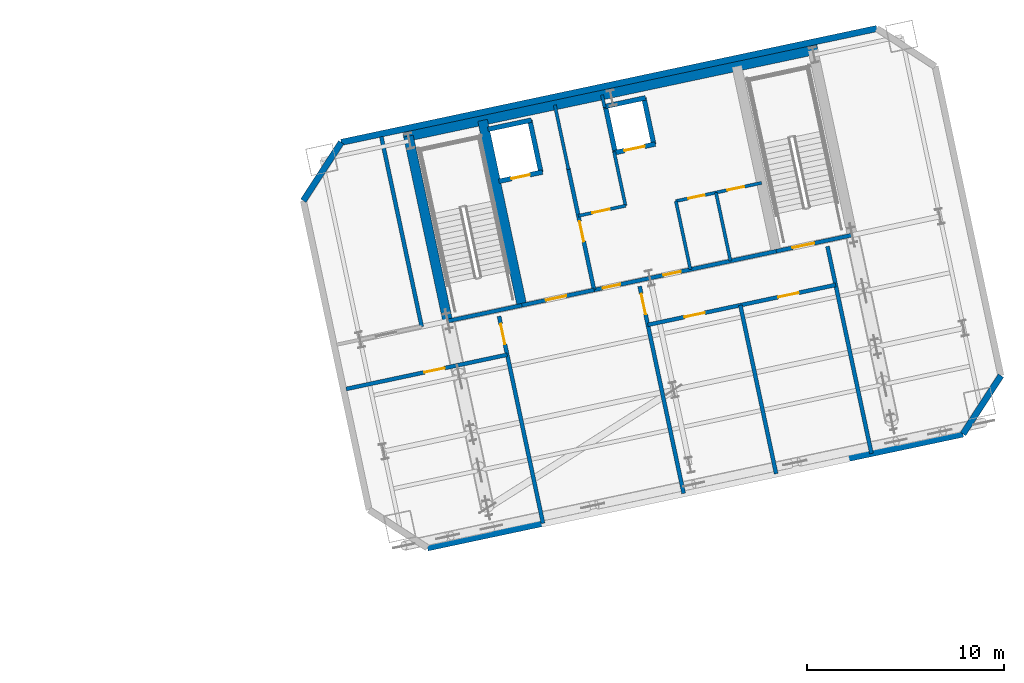
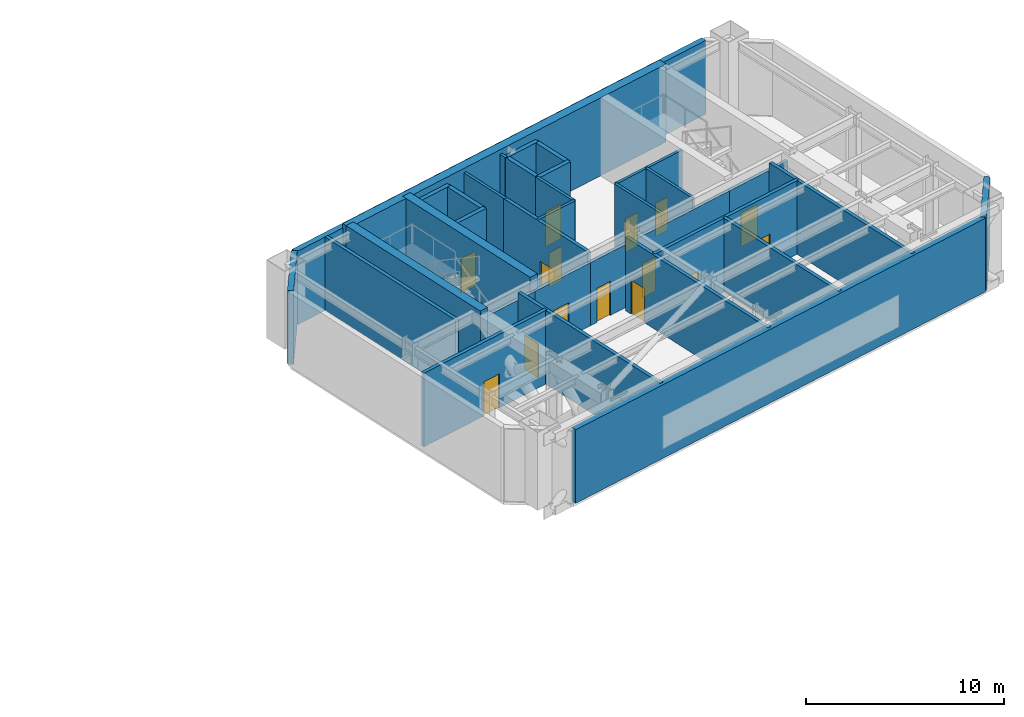
# One storey, part 10 of 15: 33 walls, 15 doors, 15 openings.
"""IFC4 building model written with IfcOpenShell, lengths in metres."""

from ifc_helpers import new_model, si_unit, direction, frame, frame_2d, origin, place, context, subcontext, project, spatial, rectangle, extrude, material, layer, layer_set, type_object, element, fill, save


model = new_model("IFC4")

# Units and contexts
model_context = context("Model", 3, precision=1e-05, world=origin(), true_north=direction((0.0, 1.0)))
body_context = subcontext(model_context, "Body", "Model", "MODEL_VIEW")
ifc_project = project(units=[si_unit("LENGTHUNIT", "METRE"), si_unit("AREAUNIT", "SQUARE_METRE"), si_unit("VOLUMEUNIT", "CUBIC_METRE"), si_unit("PLANEANGLEUNIT", "RADIAN"), si_unit("MASSUNIT", "GRAM", prefix="KILO")], contexts=[model_context])

# Site, building, storey
site_placement = place(None, origin())
site = spatial("IfcSite", under=ifc_project, at=site_placement, CompositionType="ELEMENT")
building_placement = place(site_placement, origin())
building = spatial("IfcBuilding", under=site, at=building_placement, Name="Haevon Station Towers", CompositionType="ELEMENT")
storey_placement = place(building_placement, frame((0.0, 0.0, 138.0)))
storey = spatial("IfcBuildingStorey", under=building, at=storey_placement, Name="L37", CompositionType="ELEMENT", Elevation=138.0)

# Wall
ifc_material_1 = material(Name="Gypsum board on steel stud", Category="steel")
ifc_layer_1 = layer(ifc_material_1, 0.199951171875)
ifc_layer_set_1 = layer_set([ifc_layer_1], Name="Gypsum board on steel stud")
wall_type_1 = type_object("IfcWallType", Name="WL-COR200", PredefinedType="PARTITIONING", material=ifc_layer_set_1)
wall_1_placement = place(storey_placement, frame((98.75244140625, 37.4423828125, 0.0), z_axis=(0.0, 0.0, 1.0), x_axis=(0.978143537786, 0.207930804564, 0.0)))
element("IfcWall", 1, at=wall_1_placement, inside=storey, type_object=wall_type_1, Name="WL-ST-ST3-L37", PredefinedType="PARTITIONING", context=body_context, shape_type="SweptSolid", body=[
    extrude(rectangle(XDim=3.85009765625, YDim=0.199951171875, at=frame_2d((1.925048828125, 0.0))), origin(), (0.0, 0.0, 1.0), 3.8798828125),
])

# Wall, opening, door
wall_2_placement = place(storey_placement, frame((115.4296875, 40.9873046875, 0.0), z_axis=(0.0, 0.0, 1.0), x_axis=(0.978146596989, 0.207916413008, 0.0)))
wall_2 = element("IfcWall", 2, at=wall_2_placement, inside=storey, type_object=wall_type_1, Name="WL-ST-ST4-L37", PredefinedType="PARTITIONING", context=body_context, shape_type="SweptSolid", body=[
    extrude(rectangle(XDim=3.9501953125, YDim=0.199951171875, at=frame_2d((1.97509765625, 0.0))), origin(), (0.0, 0.0, 1.0), 3.8798828125),
])
opening_1_placement = place(wall_2_placement, frame((0.85009765625, 0.0, 0.0)))
opening_1 = element("IfcOpeningElement", 3, at=opening_1_placement, cuts=wall_2, Name="Opening DR-ST-ST4-L37", PredefinedType="OPENING", context=body_context, shape_type="SweptSolid", body=[
    extrude(rectangle(XDim=1.1201171875, YDim=2.10009765625, at=frame_2d((0.56005859375, 1.050048828125))), frame((0.0, 0.10986328125, 0.0), z_axis=(0.0, -1.0, 0.0), x_axis=(1.0, 0.0, 0.0)), (0.0, 0.0, 1.0), 0.219970703125),
])
ifc_material_2 = material(Name="Engineered oak timber", Category="wood")
door_type_1 = type_object("IfcDoorType", Name="DR-ST-1120", OperationType="NOTDEFINED", PredefinedType="DOOR", material=ifc_material_2)
door_1_placement = place(opening_1_placement, origin())
door_1 = element("IfcDoor", 4, at=door_1_placement, inside=storey, type_object=door_type_1, Name="L37 Escape Stair ST4 Fire Door", OperationType="SINGLE_SWING_LEFT", OverallHeight=2.10009765625, OverallWidth=1.1201171875, PredefinedType="DOOR", context=body_context, shape_type="SweptSolid", body=[
    extrude(rectangle(XDim=1.1201171875, YDim=2.10009765625, at=frame_2d((0.56005859375, 1.050048828125))), frame((0.0, 0.02490234375, 0.0), z_axis=(0.0, -1.0, 0.0), x_axis=(1.0, 0.0, 0.0)), (0.0, 0.0, 1.0), 0.050048828125),
])
fill(opening_1, door_1)

wall_3_placement = place(storey_placement, frame((106.186279296875, 39.0224609375, 0.0), z_axis=(0.0, 0.0, 1.0), x_axis=(-0.207916691923, 0.978146537703, 0.0)))
wall_3 = element("IfcWall", 5, at=wall_3_placement, inside=storey, type_object=wall_type_1, Name="WL-T2FFL-L37-E", PredefinedType="PARTITIONING", context=body_context, shape_type="SweptSolid", body=[
    extrude(rectangle(XDim=6.35009765625, YDim=0.199951171875, at=frame_2d((3.175048828125, 0.0))), origin(), (0.0, 0.0, 1.0), 4.530029296875),
])
opening_2_placement = place(wall_3_placement, frame((2.52001953125, 0.0, 0.0)))
opening_2 = element("IfcOpeningElement", 6, at=opening_2_placement, cuts=wall_3, Name="Opening DR-T2FFL-L37-E", PredefinedType="OPENING", context=body_context, shape_type="SweptSolid", body=[
    extrude(rectangle(XDim=1.050048828125, YDim=2.10009765625, at=frame_2d((0.52490234375, 1.050048828125))), frame((0.0, 0.10986328125, 0.0), z_axis=(0.0, -1.0, 0.0), x_axis=(1.0, 0.0, 0.0)), (0.0, 0.0, 1.0), 0.219970703125),
])
door_type_2 = type_object("IfcDoorType", Name="DR-FD60-1050", OperationType="NOTDEFINED", PredefinedType="DOOR", material=ifc_material_2)
door_2_placement = place(opening_2_placement, origin())
door_2 = element("IfcDoor", 7, at=door_2_placement, inside=storey, type_object=door_type_2, Name="L37 Tower 2 Firefighting Lift Lobby Door E", OperationType="SINGLE_SWING_RIGHT", OverallHeight=2.10009765625, OverallWidth=1.050048828125, PredefinedType="DOOR", context=body_context, shape_type="SweptSolid", body=[
    extrude(rectangle(XDim=1.050048828125, YDim=2.10009765625, at=frame_2d((0.52490234375, 1.050048828125))), frame((0.0, 0.02490234375, 0.0), z_axis=(0.0, -1.0, 0.0), x_axis=(1.0, 0.0, 0.0)), (0.0, 0.0, 1.0), 0.050048828125),
])
fill(opening_2, door_2)

wall_4_placement = place(storey_placement, frame((102.518310546875, 38.242919921875, 0.0), z_axis=(0.0, 0.0, 1.0), x_axis=(0.978153555683, 0.20788367301, 0.0)))
wall_4 = element("IfcWall", 8, at=wall_4_placement, inside=storey, type_object=wall_type_1, Name="WL-T2FFL-L37-S", PredefinedType="PARTITIONING", context=body_context, shape_type="SweptSolid", body=[
    extrude(rectangle(XDim=3.75, YDim=0.199951171875, at=frame_2d((1.875, 0.0))), origin(), (0.0, 0.0, 1.0), 3.8798828125),
])
opening_3_placement = place(wall_4_placement, frame((1.25, 0.0, 0.0)))
opening_3 = element("IfcOpeningElement", 9, at=opening_3_placement, cuts=wall_4, Name="Opening DR-T2FFL-L37-S", PredefinedType="OPENING", context=body_context, shape_type="SweptSolid", body=[
    extrude(rectangle(XDim=1.050048828125, YDim=2.10009765625, at=frame_2d((0.52490234375, 1.050048828125))), frame((0.0, 0.10986328125, 0.0), z_axis=(0.0, -1.0, 0.0), x_axis=(1.0, 0.0, 0.0)), (0.0, 0.0, 1.0), 0.219970703125),
])
door_3_placement = place(opening_3_placement, origin())
door_3 = element("IfcDoor", 10, at=door_3_placement, inside=storey, type_object=door_type_2, Name="L37 Tower 2 Firefighting Lift Lobby Door S", OperationType="SINGLE_SWING_LEFT", OverallHeight=2.10009765625, OverallWidth=1.050048828125, PredefinedType="DOOR", context=body_context, shape_type="SweptSolid", body=[
    extrude(rectangle(XDim=1.050048828125, YDim=2.10009765625, at=frame_2d((0.52490234375, 1.050048828125))), frame((0.0, 0.02490234375, 0.0), z_axis=(0.0, -1.0, 0.0), x_axis=(1.0, 0.0, 0.0)), (0.0, 0.0, 1.0), 0.050048828125),
])
fill(opening_3, door_3)

# Wall, openings, doors
wall_5_placement = place(storey_placement, frame((106.186279296875, 39.0224609375, 0.0), z_axis=(0.0, 0.0, 1.0), x_axis=(0.978145519981, 0.20792147975, 0.0)))
wall_5 = element("IfcWall", 11, at=wall_5_placement, inside=storey, type_object=wall_type_1, Name="WL-T2CLB-L37", PredefinedType="PARTITIONING", context=body_context, shape_type="SweptSolid", body=[
    extrude(rectangle(XDim=9.449951171875, YDim=0.199951171875, at=frame_2d((4.72509765625, 0.0))), origin(), (0.0, 0.0, 1.0), 3.8798828125),
])
opening_4_placement = place(wall_5_placement, frame((0.449951171875, 0.0, 0.0)))
opening_4 = element("IfcOpeningElement", 12, at=opening_4_placement, cuts=wall_5, Name="Opening DR-T2CLB-L37-1", PredefinedType="OPENING", context=body_context, shape_type="SweptSolid", body=[
    extrude(rectangle(XDim=0.89990234375, YDim=2.10009765625, at=frame_2d((0.449951171875, 1.050048828125))), frame((0.0, 0.10986328125, 0.0), z_axis=(0.0, -1.0, 0.0), x_axis=(1.0, 0.0, 0.0)), (0.0, 0.0, 1.0), 0.219970703125),
])
opening_5_placement = place(wall_5_placement, frame((3.60009765625, 0.0, 0.0)))
opening_5 = element("IfcOpeningElement", 13, at=opening_5_placement, cuts=wall_5, Name="Opening DR-T2CLB-L37-2", PredefinedType="OPENING", context=body_context, shape_type="SweptSolid", body=[
    extrude(rectangle(XDim=0.89990234375, YDim=2.10009765625, at=frame_2d((0.449951171875, 1.050048828125))), frame((0.0, 0.10986328125, 0.0), z_axis=(0.0, -1.0, 0.0), x_axis=(1.0, 0.0, 0.0)), (0.0, 0.0, 1.0), 0.219970703125),
])
door_type_3 = type_object("IfcDoorType", Name="DR-FD60-900", OperationType="NOTDEFINED", PredefinedType="DOOR", material=ifc_material_2)
door_4_placement = place(opening_4_placement, origin())
door_4 = element("IfcDoor", 14, at=door_4_placement, inside=storey, type_object=door_type_3, Name="L37 Tower 2 Core Lift Lobby Door 1", OperationType="SINGLE_SWING_RIGHT", OverallHeight=2.10009765625, OverallWidth=0.89990234375, PredefinedType="DOOR", context=body_context, shape_type="SweptSolid", body=[
    extrude(rectangle(XDim=0.89990234375, YDim=2.10009765625, at=frame_2d((0.449951171875, 1.050048828125))), frame((0.0, 0.02490234375, 0.0), z_axis=(0.0, -1.0, 0.0), x_axis=(1.0, 0.0, 0.0)), (0.0, 0.0, 1.0), 0.050048828125),
])
fill(opening_4, door_4)
door_5_placement = place(opening_5_placement, origin())
door_5 = element("IfcDoor", 15, at=door_5_placement, inside=storey, type_object=door_type_3, Name="L37 Tower 2 Core Lift Lobby Door 2", OperationType="SINGLE_SWING_LEFT", OverallHeight=2.10009765625, OverallWidth=0.89990234375, PredefinedType="DOOR", context=body_context, shape_type="SweptSolid", body=[
    extrude(rectangle(XDim=0.89990234375, YDim=2.10009765625, at=frame_2d((0.449951171875, 1.050048828125))), frame((0.0, 0.02490234375, 0.0), z_axis=(0.0, -1.0, 0.0), x_axis=(1.0, 0.0, 0.0)), (0.0, 0.0, 1.0), 0.050048828125),
])
fill(opening_5, door_5)

# Wall
wall_6_placement = place(storey_placement, frame((97.431884765625, 37.16162109375, 0.0), z_axis=(0.0, 0.0, 1.0), x_axis=(-0.207915613651, 0.978146766902, 0.0)))
element("IfcWall", 16, at=wall_6_placement, inside=storey, type_object=wall_type_1, Name="WL-T2PT-L37-02", PredefinedType="PARTITIONING", context=body_context, shape_type="SweptSolid", body=[
    extrude(rectangle(XDim=9.860107421875, YDim=0.199951171875, at=frame_2d((4.93017578125, 0.0))), origin(), (0.0, 0.0, 1.0), 4.530029296875),
])

# Wall, opening, door
wall_7_placement = place(storey_placement, frame((93.596435546875, 33.9951171875, 0.0), z_axis=(0.0, 0.0, 1.0), x_axis=(0.978149795043, 0.207901367138, 0.0)))
wall_7 = element("IfcWall", 17, at=wall_7_placement, inside=storey, type_object=wall_type_1, Name="WL-T2PT-L37-03", PredefinedType="PARTITIONING", context=body_context, shape_type="SweptSolid", body=[
    extrude(rectangle(XDim=8.35986328125, YDim=0.199951171875, at=frame_2d((4.179931640625, 0.0))), origin(), (0.0, 0.0, 1.0), 4.530029296875),
])
opening_6_placement = place(wall_7_placement, frame((4.06005859375, 0.0, 0.0)))
opening_6 = element("IfcOpeningElement", 18, at=opening_6_placement, cuts=wall_7, Name="Opening DR-WL-T2PT-L37-03-01", PredefinedType="OPENING", context=body_context, shape_type="SweptSolid", body=[
    extrude(rectangle(XDim=1.050048828125, YDim=2.10009765625, at=frame_2d((0.52490234375, 1.050048828125))), frame((0.0, 0.10986328125, 0.0), z_axis=(0.0, -1.0, 0.0), x_axis=(1.0, 0.0, 0.0)), (0.0, 0.0, 1.0), 0.219970703125),
])
door_6_placement = place(opening_6_placement, origin())
door_6 = element("IfcDoor", 19, at=door_6_placement, inside=storey, type_object=door_type_2, Name="L37 Tower 2 Room Door 3-1", OperationType="SINGLE_SWING_RIGHT", OverallHeight=2.10009765625, OverallWidth=1.050048828125, PredefinedType="DOOR", context=body_context, shape_type="SweptSolid", body=[
    extrude(rectangle(XDim=1.050048828125, YDim=2.10009765625, at=frame_2d((0.52490234375, 1.050048828125))), frame((0.0, 0.02490234375, 0.0), z_axis=(0.0, -1.0, 0.0), x_axis=(1.0, 0.0, 0.0)), (0.0, 0.0, 1.0), 0.050048828125),
])
fill(opening_6, door_6)

wall_8_placement = place(storey_placement, frame((103.593017578125, 27.174560546875, 0.0), z_axis=(0.0, 0.0, 1.0), x_axis=(-0.207920413975, 0.978145746529, 0.0)))
wall_8 = element("IfcWall", 20, at=wall_8_placement, inside=storey, type_object=wall_type_1, Name="WL-T2PT-L37-04", PredefinedType="PARTITIONING", context=body_context, shape_type="SweptSolid", body=[
    extrude(rectangle(XDim=10.749755859375, YDim=0.199951171875, at=frame_2d((5.375, 0.0))), origin(), (0.0, 0.0, 1.0), 4.530029296875),
])
opening_7_placement = place(wall_8_placement, frame((9.300048828125, 0.0, 0.0)))
opening_7 = element("IfcOpeningElement", 21, at=opening_7_placement, cuts=wall_8, Name="Opening DR-WL-T2PT-L37-04-01", PredefinedType="OPENING", context=body_context, shape_type="SweptSolid", body=[
    extrude(rectangle(XDim=1.050048828125, YDim=2.10009765625, at=frame_2d((0.52490234375, 1.050048828125))), frame((0.0, 0.10986328125, 0.0), z_axis=(0.0, -1.0, 0.0), x_axis=(1.0, 0.0, 0.0)), (0.0, 0.0, 1.0), 0.219970703125),
])
door_7_placement = place(opening_7_placement, origin())
door_7 = element("IfcDoor", 22, at=door_7_placement, inside=storey, type_object=door_type_2, Name="L37 Tower 2 Room Door 4-1", OperationType="SINGLE_SWING_LEFT", OverallHeight=2.10009765625, OverallWidth=1.050048828125, PredefinedType="DOOR", context=body_context, shape_type="SweptSolid", body=[
    extrude(rectangle(XDim=1.050048828125, YDim=2.10009765625, at=frame_2d((0.52490234375, 1.050048828125))), frame((0.0, 0.02490234375, 0.0), z_axis=(0.0, -1.0, 0.0), x_axis=(1.0, 0.0, 0.0)), (0.0, 0.0, 1.0), 0.050048828125),
])
fill(opening_7, door_7)

wall_9_placement = place(storey_placement, frame((110.7333984375, 28.692138671875, 0.0), z_axis=(0.0, 0.0, 1.0), x_axis=(-0.207915795165, 0.978146728319, 0.0)))
wall_9 = element("IfcWall", 23, at=wall_9_placement, inside=storey, type_object=wall_type_1, Name="WL-T2PT-L37-05", PredefinedType="PARTITIONING", context=body_context, shape_type="SweptSolid", body=[
    extrude(rectangle(XDim=10.75, YDim=0.199951171875, at=frame_2d((5.375, 0.0))), origin(), (0.0, 0.0, 1.0), 4.530029296875),
])
opening_8_placement = place(wall_9_placement, frame((9.300048828125, 0.0, 0.0)))
opening_8 = element("IfcOpeningElement", 24, at=opening_8_placement, cuts=wall_9, Name="Opening DR-WL-T2PT-L37-05-01", PredefinedType="OPENING", context=body_context, shape_type="SweptSolid", body=[
    extrude(rectangle(XDim=1.050048828125, YDim=2.10009765625, at=frame_2d((0.52490234375, 1.050048828125))), frame((0.0, 0.10986328125, 0.0), z_axis=(0.0, -1.0, 0.0), x_axis=(1.0, 0.0, 0.0)), (0.0, 0.0, 1.0), 0.219970703125),
])
door_8_placement = place(opening_8_placement, origin())
door_8 = element("IfcDoor", 25, at=door_8_placement, inside=storey, type_object=door_type_2, Name="L37 Tower 2 Room Door 5-1", OperationType="SINGLE_SWING_RIGHT", OverallHeight=2.10009765625, OverallWidth=1.050048828125, PredefinedType="DOOR", context=body_context, shape_type="SweptSolid", body=[
    extrude(rectangle(XDim=1.050048828125, YDim=2.10009765625, at=frame_2d((0.52490234375, 1.050048828125))), frame((0.0, 0.02490234375, 0.0), z_axis=(0.0, -1.0, 0.0), x_axis=(1.0, 0.0, 0.0)), (0.0, 0.0, 1.0), 0.050048828125),
])
fill(opening_8, door_8)

# Wall
wall_10_placement = place(storey_placement, frame((115.428466796875, 29.690185546875, 0.0), z_axis=(0.0, 0.0, 1.0), x_axis=(-0.207895796689, 0.978150979, 0.0)))
element("IfcWall", 26, at=wall_10_placement, inside=storey, type_object=wall_type_1, Name="WL-T2PT-L37-06", PredefinedType="PARTITIONING", context=body_context, shape_type="SweptSolid", body=[
    extrude(rectangle(XDim=8.75, YDim=0.199951171875, at=frame_2d((4.375, 0.0))), origin(), (0.0, 0.0, 1.0), 4.530029296875),
])

# Wall, openings, doors
wall_11_placement = place(storey_placement, frame((108.914306640625, 37.2509765625, 0.0), z_axis=(0.0, 0.0, 1.0), x_axis=(0.978148094533, 0.20790936766, 0.0)))
wall_11 = element("IfcWall", 27, at=wall_11_placement, inside=storey, type_object=wall_type_1, Name="WL-T2PT-L37-07", PredefinedType="PARTITIONING", context=body_context, shape_type="SweptSolid", body=[
    extrude(rectangle(XDim=9.75, YDim=0.199951171875, at=frame_2d((4.875, 0.0))), origin(), (0.0, 0.0, 1.0), 4.530029296875),
])
opening_9_placement = place(wall_11_placement, frame((1.89990234375, 0.0, 0.0)))
opening_9 = element("IfcOpeningElement", 28, at=opening_9_placement, cuts=wall_11, Name="Opening DR-WL-T2PT-L37-07-01", PredefinedType="OPENING", context=body_context, shape_type="SweptSolid", body=[
    extrude(rectangle(XDim=1.050048828125, YDim=2.10009765625, at=frame_2d((0.52490234375, 1.050048828125))), frame((0.0, 0.10986328125, 0.0), z_axis=(0.0, -1.0, 0.0), x_axis=(1.0, 0.0, 0.0)), (0.0, 0.0, 1.0), 0.219970703125),
])
opening_10_placement = place(wall_11_placement, frame((6.77490234375, 0.0, 0.0)))
opening_10 = element("IfcOpeningElement", 29, at=opening_10_placement, cuts=wall_11, Name="Opening DR-WL-T2PT-L37-07-02", PredefinedType="OPENING", context=body_context, shape_type="SweptSolid", body=[
    extrude(rectangle(XDim=1.050048828125, YDim=2.10009765625, at=frame_2d((0.52490234375, 1.050048828125))), frame((0.0, 0.10986328125, 0.0), z_axis=(0.0, -1.0, 0.0), x_axis=(1.0, 0.0, 0.0)), (0.0, 0.0, 1.0), 0.219970703125),
])
door_9_placement = place(opening_9_placement, origin())
door_9 = element("IfcDoor", 30, at=door_9_placement, inside=storey, type_object=door_type_2, Name="L37 Tower 2 Room Door 7-1", OperationType="SINGLE_SWING_LEFT", OverallHeight=2.10009765625, OverallWidth=1.050048828125, PredefinedType="DOOR", context=body_context, shape_type="SweptSolid", body=[
    extrude(rectangle(XDim=1.050048828125, YDim=2.10009765625, at=frame_2d((0.52490234375, 1.050048828125))), frame((0.0, 0.02490234375, 0.0), z_axis=(0.0, -1.0, 0.0), x_axis=(1.0, 0.0, 0.0)), (0.0, 0.0, 1.0), 0.050048828125),
])
fill(opening_9, door_9)
door_10_placement = place(opening_10_placement, origin())
door_10 = element("IfcDoor", 31, at=door_10_placement, inside=storey, type_object=door_type_2, Name="L37 Tower 2 Room Door 7-2", OperationType="SINGLE_SWING_RIGHT", OverallHeight=2.10009765625, OverallWidth=1.050048828125, PredefinedType="DOOR", context=body_context, shape_type="SweptSolid", body=[
    extrude(rectangle(XDim=1.050048828125, YDim=2.10009765625, at=frame_2d((0.52490234375, 1.050048828125))), frame((0.0, 0.02490234375, 0.0), z_axis=(0.0, -1.0, 0.0), x_axis=(1.0, 0.0, 0.0)), (0.0, 0.0, 1.0), 0.050048828125),
])
fill(opening_10, door_10)

# Walls
wall_12_placement = place(storey_placement, frame((120.270263671875, 30.71923828125, 0.0), z_axis=(0.0, 0.0, 1.0), x_axis=(-0.207894066141, 0.978151346809, 0.0)))
element("IfcWall", 32, at=wall_12_placement, inside=storey, type_object=wall_type_1, Name="WL-T2PT-L37-08", PredefinedType="PARTITIONING", context=body_context, shape_type="SweptSolid", body=[
    extrude(rectangle(XDim=10.75, YDim=0.199951171875, at=frame_2d((5.375, 0.0))), origin(), (0.0, 0.0, 1.0), 4.530029296875),
])
ifc_material_3 = material(Name="Concrete C60/75", Category="concrete")
ifc_layer_2 = layer(ifc_material_3, 0.5)
ifc_layer_set_2 = layer_set([ifc_layer_2], Name="Concrete C60/75")
wall_type_2 = type_object("IfcWallType", Name="WL-CR500", PredefinedType="SHEAR", material=ifc_layer_set_2)
wall_13_placement = place(storey_placement, frame((96.511962890625, 46.78076171875, 0.0), z_axis=(0.0, 0.0, 1.0), x_axis=(0.978148546782, 0.207907239961, 0.0)))
element("IfcWall", 33, at=wall_13_placement, inside=storey, type_object=wall_type_2, Name="WL-T2CR-L37-N", PredefinedType="SHEAR", context=body_context, shape_type="SweptSolid", body=[
    extrude(rectangle(XDim=21.499755859375, YDim=0.5, at=frame_2d((10.75, 0.0))), origin(), (0.0, 0.0, 1.0), 4.800048828125),
])
wall_14_placement = place(storey_placement, frame((98.8603515625, 36.933837890625, 0.0), z_axis=(0.0, 0.0, 1.0), x_axis=(-0.20790924889, 0.978148119778, 0.0)))
element("IfcWall", 34, at=wall_14_placement, inside=storey, type_object=wall_type_2, Name="WL-T2CR-L37-W", PredefinedType="SHEAR", context=body_context, shape_type="SweptSolid", body=[
    extrude(rectangle(XDim=10.119873046875, YDim=0.5, at=frame_2d((5.06005859375, 0.0))), origin(), (0.0, 0.0, 1.0), 4.800048828125),
])
wall_15_placement = place(storey_placement, frame((102.518310546875, 38.242919921875, 0.0), z_axis=(0.0, 0.0, 1.0), x_axis=(-0.207927495108, 0.978144241295, 0.0)))
element("IfcWall", 35, at=wall_15_placement, inside=storey, type_object=wall_type_2, Name="WL-T2CR-L37-M1", PredefinedType="SHEAR", context=body_context, shape_type="SweptSolid", body=[
    extrude(rectangle(XDim=9.599853515625, YDim=0.5, at=frame_2d((4.7998046875, 0.0))), origin(), (0.0, 0.0, 1.0), 4.800048828125),
])
ifc_material_4 = material(Name="Precast concrete C45/55", Category="concrete")
ifc_layer_3 = layer(ifc_material_4, 0.320068359375)
ifc_layer_set_3 = layer_set([ifc_layer_3], Name="Precast concrete C45/55")
wall_type_3 = type_object("IfcWallType", Name="WL-EXT-PIER320", PredefinedType="SOLIDWALL", material=ifc_layer_set_3)
wall_16_placement = place(storey_placement, frame((124.91650390625, 31.70703125, 0.0), z_axis=(0.0, 0.0, 1.0), x_axis=(-0.978146796741, -0.20791547327, 0.0)))
element("IfcWall", 36, at=wall_16_placement, inside=storey, type_object=wall_type_3, Name="WL-T2-L37-S", PredefinedType="SOLIDWALL", context=body_context, shape_type="SweptSolid", body=[
    extrude(rectangle(XDim=27.7998046875, YDim=0.320068359375, at=frame_2d((13.89990234375, 0.0))), origin(), (0.0, 0.0, 1.0), 4.530029296875),
])
wall_17_placement = place(storey_placement, frame((91.421875, 43.5517578125, 0.0), z_axis=(0.0, 0.0, 1.0), x_axis=(0.544604812064, 0.838692791597, 0.0)))
element("IfcWall", 37, at=wall_17_placement, inside=storey, type_object=wall_type_3, Name="WL-T2-L37-NWC", PredefinedType="SOLIDWALL", context=body_context, shape_type="SweptSolid", body=[
    extrude(rectangle(XDim=3.53564453125, YDim=0.320068359375, at=frame_2d((1.767822265625, 0.0))), origin(), (0.0, 0.0, 1.0), 4.530029296875),
])
wall_18_placement = place(storey_placement, frame((93.347412109375, 46.51708984375, 0.0), z_axis=(0.0, 0.0, 1.0), x_axis=(0.978148962338, 0.207905284872, 0.0)))
element("IfcWall", 38, at=wall_18_placement, inside=storey, type_object=wall_type_3, Name="WL-T2-L37-N", PredefinedType="SOLIDWALL", context=body_context, shape_type="SweptSolid", body=[
    extrude(rectangle(XDim=27.800048828125, YDim=0.320068359375, at=frame_2d((13.89990234375, 0.0))), origin(), (0.0, 0.0, 1.0), 4.530029296875),
])
wall_19_placement = place(storey_placement, frame((126.84228515625, 34.672119140625, 0.0), z_axis=(0.0, 0.0, 1.0), x_axis=(-0.544684921471, -0.838640767148, 0.0)))
element("IfcWall", 39, at=wall_19_placement, inside=storey, type_object=wall_type_3, Name="WL-T2-L37-SEC", PredefinedType="SOLIDWALL", context=body_context, shape_type="SweptSolid", body=[
    extrude(rectangle(XDim=3.53564453125, YDim=0.320068359375, at=frame_2d((1.767822265625, 0.0))), origin(), (0.0, 0.0, 1.0), 4.530029296875),
])
ifc_layer_4 = layer(ifc_material_1, 0.159912109375)
ifc_layer_set_4 = layer_set([ifc_layer_4], Name="Gypsum board on steel stud")
wall_type_4 = type_object("IfcWallType", Name="WL-PRT160", PredefinedType="PARTITIONING", material=ifc_layer_set_4)
wall_20_placement = place(storey_placement, frame((104.88671875, 45.135986328125, 0.0), z_axis=(0.0, 0.0, 1.0), x_axis=(-0.207846553267, 0.978161443881, 0.0)))
element("IfcWall", 40, at=wall_20_placement, inside=storey, type_object=wall_type_4, Name="WL-T2CW-L37-01", PredefinedType="PARTITIONING", context=body_context, shape_type="SweptSolid", body=[
    extrude(rectangle(XDim=3.35009765625, YDim=0.159912109375, at=frame_2d((1.675048828125, 0.0))), origin(), (0.0, 0.0, 1.0), 4.530029296875),
])

# Wall, opening, door
wall_21_placement = place(storey_placement, frame((105.3857421875, 42.788330078125, 0.0), z_axis=(0.0, 0.0, 1.0), x_axis=(0.978136559131, 0.207963630695, 0.0)))
wall_21 = element("IfcWall", 41, at=wall_21_placement, inside=storey, type_object=wall_type_4, Name="WL-T2CW-L37-02", PredefinedType="PARTITIONING", context=body_context, shape_type="SweptSolid", body=[
    extrude(rectangle(XDim=2.449951171875, YDim=0.159912109375, at=frame_2d((1.22509765625, 0.0))), origin(), (0.0, 0.0, 1.0), 4.530029296875),
])
opening_11_placement = place(wall_21_placement, frame((0.719970703125, 0.0, 0.0)))
opening_11 = element("IfcOpeningElement", 42, at=opening_11_placement, cuts=wall_21, Name="Opening DR-WL-T2CW-L37-02-1", PredefinedType="OPENING", context=body_context, shape_type="SweptSolid", body=[
    extrude(rectangle(XDim=0.89990234375, YDim=2.10009765625, at=frame_2d((0.449951171875, 1.050048828125))), frame((0.0, 0.08984375, 0.0), z_axis=(0.0, -1.0, 0.0), x_axis=(1.0, 0.0, 0.0)), (0.0, 0.0, 1.0), 0.179931640625),
])
door_11_placement = place(opening_11_placement, origin())
door_11 = element("IfcDoor", 43, at=door_11_placement, inside=storey, type_object=door_type_3, Name="L37 Tower 2 Core Room Door 2-1", OperationType="SINGLE_SWING_RIGHT", OverallHeight=2.10009765625, OverallWidth=0.89990234375, PredefinedType="DOOR", context=body_context, shape_type="SweptSolid", body=[
    extrude(rectangle(XDim=0.89990234375, YDim=2.10009765625, at=frame_2d((0.449951171875, 1.050048828125))), frame((0.0, 0.02490234375, 0.0), z_axis=(0.0, -1.0, 0.0), x_axis=(1.0, 0.0, 0.0)), (0.0, 0.0, 1.0), 0.050048828125),
])
fill(opening_11, door_11)

# Walls
wall_22_placement = place(storey_placement, frame((107.7822265625, 43.2978515625, 0.0), z_axis=(0.0, 0.0, 1.0), x_axis=(-0.207873355681, 0.978155748334, 0.0)))
element("IfcWall", 44, at=wall_22_placement, inside=storey, type_object=wall_type_4, Name="WL-T2CW-L37-03", PredefinedType="PARTITIONING", context=body_context, shape_type="SweptSolid", body=[
    extrude(rectangle(XDim=2.800048828125, YDim=0.159912109375, at=frame_2d((1.39990234375, 0.0))), origin(), (0.0, 0.0, 1.0), 4.530029296875),
])
wall_23_placement = place(storey_placement, frame((106.721923828125, 48.286376953125, 0.0), z_axis=(0.0, 0.0, 1.0), x_axis=(-0.208092352933, 0.978109182377, 0.0)))
element("IfcWall", 45, at=wall_23_placement, inside=storey, type_object=wall_type_4, Name="WL-T2CW-L37-04", PredefinedType="PARTITIONING", context=body_context, shape_type="SweptSolid", body=[
    extrude(rectangle(XDim=0.64990234375, YDim=0.159912109375, at=frame_2d((0.324951171875, 0.0))), origin(), (0.0, 0.0, 1.0), 4.530029296875),
])
for number, where, z_axis, x_axis, name in (
    (46, (111.076904296875, 40.06201171875, 0.0), (0.0, 0.0, 1.0), (-0.207899058817, 0.978150285663, 0.0), "WL-T2CW-L37-05"),
    (47, (113.111572265625, 40.49462890625, 0.0), (0.0, 0.0, 1.0), (-0.207899058817, 0.978150285663, 0.0), "WL-T2CW-L37-06"),
):
    element("IfcWall", number, at=place(storey_placement, frame(where, z_axis=z_axis, x_axis=x_axis)), inside=storey, type_object=wall_type_4, Name=name, PredefinedType="PARTITIONING", context=body_context, shape_type="SweptSolid", body=[
        extrude(rectangle(XDim=3.550048828125, YDim=0.159912109375, at=frame_2d((1.77490234375, 0.0))), origin(), (0.0, 0.0, 1.0), 4.530029296875),
    ])

# Wall, openings, doors
wall_24_placement = place(storey_placement, frame((110.3388671875, 43.534423828125, 0.0), z_axis=(0.0, 0.0, 1.0), x_axis=(0.978143929138, 0.207928963567, 0.0)))
wall_24 = element("IfcWall", 48, at=wall_24_placement, inside=storey, type_object=wall_type_4, Name="WL-T2CW-L37-07", PredefinedType="PARTITIONING", context=body_context, shape_type="SweptSolid", body=[
    extrude(rectangle(XDim=4.449951171875, YDim=0.159912109375, at=frame_2d((2.22509765625, 0.0))), origin(), (0.0, 0.0, 1.0), 4.530029296875),
])
opening_12_placement = place(wall_24_placement, frame((0.635009765625, 0.0, 0.0)))
opening_12 = element("IfcOpeningElement", 49, at=opening_12_placement, cuts=wall_24, Name="Opening DR-WL-T2CW-L37-07-1", PredefinedType="OPENING", context=body_context, shape_type="SweptSolid", body=[
    extrude(rectangle(XDim=0.85009765625, YDim=2.050048828125, at=frame_2d((0.425048828125, 1.02490234375))), frame((0.0, 0.08984375, 0.0), z_axis=(0.0, -1.0, 0.0), x_axis=(1.0, 0.0, 0.0)), (0.0, 0.0, 1.0), 0.179931640625),
])
opening_13_placement = place(wall_24_placement, frame((2.679931640625, 0.0, 0.0)))
opening_13 = element("IfcOpeningElement", 50, at=opening_13_placement, cuts=wall_24, Name="Opening DR-WL-T2CW-L37-07-2", PredefinedType="OPENING", context=body_context, shape_type="SweptSolid", body=[
    extrude(rectangle(XDim=0.85009765625, YDim=2.050048828125, at=frame_2d((0.425048828125, 1.02490234375))), frame((0.0, 0.08984375, 0.0), z_axis=(0.0, -1.0, 0.0), x_axis=(1.0, 0.0, 0.0)), (0.0, 0.0, 1.0), 0.179931640625),
])
door_type_4 = type_object("IfcDoorType", Name="DR-FD30-850", OperationType="NOTDEFINED", PredefinedType="DOOR", material=ifc_material_2)
door_12_placement = place(opening_12_placement, origin())
door_12 = element("IfcDoor", 51, at=door_12_placement, inside=storey, type_object=door_type_4, Name="L37 Tower 2 Core Room Door 7-1", OperationType="SINGLE_SWING_LEFT", OverallHeight=2.050048828125, OverallWidth=0.85009765625, PredefinedType="DOOR", context=body_context, shape_type="SweptSolid", body=[
    extrude(rectangle(XDim=0.85009765625, YDim=2.050048828125, at=frame_2d((0.425048828125, 1.02490234375))), frame((0.0, 0.02490234375, 0.0), z_axis=(0.0, -1.0, 0.0), x_axis=(1.0, 0.0, 0.0)), (0.0, 0.0, 1.0), 0.050048828125),
])
fill(opening_12, door_12)
door_13_placement = place(opening_13_placement, origin())
door_13 = element("IfcDoor", 52, at=door_13_placement, inside=storey, type_object=door_type_4, Name="L37 Tower 2 Core Room Door 7-2", OperationType="SINGLE_SWING_RIGHT", OverallHeight=2.050048828125, OverallWidth=0.85009765625, PredefinedType="DOOR", context=body_context, shape_type="SweptSolid", body=[
    extrude(rectangle(XDim=0.85009765625, YDim=2.050048828125, at=frame_2d((0.425048828125, 1.02490234375))), frame((0.0, 0.02490234375, 0.0), z_axis=(0.0, -1.0, 0.0), x_axis=(1.0, 0.0, 0.0)), (0.0, 0.0, 1.0), 0.050048828125),
])
fill(opening_13, door_13)

# Wall, opening, door
ifc_material_5 = material(Name="Concrete C40/50", Category="concrete")
ifc_layer_5 = layer(ifc_material_5, 0.239990234375)
ifc_layer_set_5 = layer_set([ifc_layer_5], Name="Concrete C40/50")
wall_type_5 = type_object("IfcWallType", Name="WL-SHF240", PredefinedType="PARTITIONING", material=ifc_layer_set_5)
wall_25_placement = place(storey_placement, frame((101.353759765625, 44.538330078125, 0.0), z_axis=(0.0, 0.0, 1.0), x_axis=(0.978141002414, 0.207942731049, 0.0)))
wall_25 = element("IfcWall", 53, at=wall_25_placement, inside=storey, type_object=wall_type_5, Name="WL-SHF-FL2-L37", PredefinedType="PARTITIONING", context=body_context, shape_type="SweptSolid", body=[
    extrude(rectangle(XDim=2.260009765625, YDim=0.239990234375, at=frame_2d((1.1298828125, 0.0))), origin(), (0.0, 0.0, 1.0), 4.530029296875),
])
opening_14_placement = place(wall_25_placement, frame((0.655029296875, 0.0, 0.0)))
opening_14 = element("IfcOpeningElement", 54, at=opening_14_placement, cuts=wall_25, Name="Opening LD-FL2-L37", PredefinedType="OPENING", context=body_context, shape_type="SweptSolid", body=[
    extrude(rectangle(XDim=0.949951171875, YDim=2.14990234375, at=frame_2d((0.47509765625, 1.074951171875))), frame((0.0, 0.1298828125, 0.0), z_axis=(0.0, -1.0, 0.0), x_axis=(1.0, 0.0, 0.0)), (0.0, 0.0, 1.0), 0.260009765625),
])
ifc_material_6 = material(Name="Stainless steel and rated core", Category="steel")
door_type_5 = type_object("IfcDoorType", Name="LD-FL950", OperationType="SLIDING_TO_LEFT", PredefinedType="DOOR", material=ifc_material_6)
door_14_placement = place(opening_14_placement, origin())
door_14 = element("IfcDoor", 55, at=door_14_placement, inside=storey, type_object=door_type_5, Name="L37 Lift FL2 Sliding Landing Door", OperationType="SLIDING_TO_LEFT", OverallHeight=2.14990234375, OverallWidth=0.949951171875, PredefinedType="DOOR", context=body_context, shape_type="SweptSolid", body=[
    extrude(rectangle(XDim=0.949951171875, YDim=2.14990234375, at=frame_2d((0.47509765625, 1.074951171875))), frame((0.0, 0.02490234375, 0.0), z_axis=(0.0, -1.0, 0.0), x_axis=(1.0, 0.0, 0.0)), (0.0, 0.0, 1.0), 0.050048828125),
])
fill(opening_14, door_14)

# Walls
wall_26_placement = place(storey_placement, frame((100.79248046875, 47.179443359375, 0.0), z_axis=(0.0, 0.0, 1.0), x_axis=(0.978162968872, 0.207839376268, 0.0)))
element("IfcWall", 56, at=wall_26_placement, inside=storey, type_object=wall_type_5, Name="WL-SHF-FL2-L37-N", PredefinedType="PARTITIONING", context=body_context, shape_type="SweptSolid", body=[
    extrude(rectangle(XDim=2.260009765625, YDim=0.239990234375, at=frame_2d((1.1298828125, 0.0))), origin(), (0.0, 0.0, 1.0), 4.530029296875),
])
wall_27_placement = place(storey_placement, frame((103.486328125, 44.99169921875, 0.0), z_axis=(0.0, 0.0, 1.0), x_axis=(-0.207978798957, 0.978133334052, 0.0)))
element("IfcWall", 57, at=wall_27_placement, inside=storey, type_object=wall_type_5, Name="WL-SHF-FL2-L37-E", PredefinedType="PARTITIONING", context=body_context, shape_type="SweptSolid", body=[
    extrude(rectangle(XDim=2.699951171875, YDim=0.239990234375, at=frame_2d((1.35009765625, 0.0))), origin(), (0.0, 0.0, 1.0), 4.530029296875),
])

# Wall, opening, door
wall_28_placement = place(storey_placement, frame((107.18115234375, 45.9814453125, 0.0), z_axis=(0.0, 0.0, 1.0), x_axis=(0.97813528961, 0.207969601673, 0.0)))
wall_28 = element("IfcWall", 58, at=wall_28_placement, inside=storey, type_object=wall_type_5, Name="WL-SHF-PL8-L37", PredefinedType="PARTITIONING", context=body_context, shape_type="SweptSolid", body=[
    extrude(rectangle(XDim=2.159912109375, YDim=0.239990234375, at=frame_2d((1.080078125, 0.0))), origin(), (0.0, 0.0, 1.0), 4.530029296875),
])
opening_15_placement = place(wall_28_placement, frame((0.554931640625, 0.0, 0.0)))
opening_15 = element("IfcOpeningElement", 59, at=opening_15_placement, cuts=wall_28, Name="Opening LD-PL8-L37", PredefinedType="OPENING", context=body_context, shape_type="SweptSolid", body=[
    extrude(rectangle(XDim=1.050048828125, YDim=2.14990234375, at=frame_2d((0.52490234375, 1.074951171875))), frame((0.0, 0.1298828125, 0.0), z_axis=(0.0, -1.0, 0.0), x_axis=(1.0, 0.0, 0.0)), (0.0, 0.0, 1.0), 0.260009765625),
])
door_type_6 = type_object("IfcDoorType", Name="LD-PL1050", OperationType="SLIDING_TO_LEFT", PredefinedType="DOOR", material=ifc_material_6)
door_15_placement = place(opening_15_placement, origin())
door_15 = element("IfcDoor", 60, at=door_15_placement, inside=storey, type_object=door_type_6, Name="L37 Lift PL8 Sliding Landing Door", OperationType="SLIDING_TO_LEFT", OverallHeight=2.14990234375, OverallWidth=1.050048828125, PredefinedType="DOOR", context=body_context, shape_type="SweptSolid", body=[
    extrude(rectangle(XDim=1.050048828125, YDim=2.14990234375, at=frame_2d((0.52490234375, 1.074951171875))), frame((0.0, 0.02490234375, 0.0), z_axis=(0.0, -1.0, 0.0), x_axis=(1.0, 0.0, 0.0)), (0.0, 0.0, 1.0), 0.050048828125),
])
fill(opening_15, door_15)

# Walls
wall_29_placement = place(storey_placement, frame((106.68212890625, 48.3291015625, 0.0), z_axis=(0.0, 0.0, 1.0), x_axis=(0.978158276388, 0.207861459473, 0.0)))
element("IfcWall", 61, at=wall_29_placement, inside=storey, type_object=wall_type_5, Name="WL-SHF-PL8-L37-N", PredefinedType="PARTITIONING", context=body_context, shape_type="SweptSolid", body=[
    extrude(rectangle(XDim=2.159912109375, YDim=0.239990234375, at=frame_2d((1.080078125, 0.0))), origin(), (0.0, 0.0, 1.0), 4.530029296875),
])
for number, where, z_axis, x_axis, name in (
    (62, (107.259521484375, 45.998046875, 0.0), (0.0, 0.0, 1.0), (-0.207917150959, 0.978146440129, 0.0), "WL-SHF-PL8-L37-W"),
    (63, (109.2158203125, 46.413818359375, 0.0), (0.0, 0.0, 1.0), (-0.207917150959, 0.978146440129, 0.0), "WL-SHF-PL8-L37-E"),
):
    element("IfcWall", number, at=place(storey_placement, frame(where, z_axis=z_axis, x_axis=x_axis)), inside=storey, type_object=wall_type_5, Name=name, PredefinedType="PARTITIONING", context=body_context, shape_type="SweptSolid", body=[
        extrude(rectangle(XDim=2.400146484375, YDim=0.239990234375, at=frame_2d((1.2001953125, 0.0))), origin(), (0.0, 0.0, 1.0), 4.530029296875),
    ])

save(model, "model.ifc")
